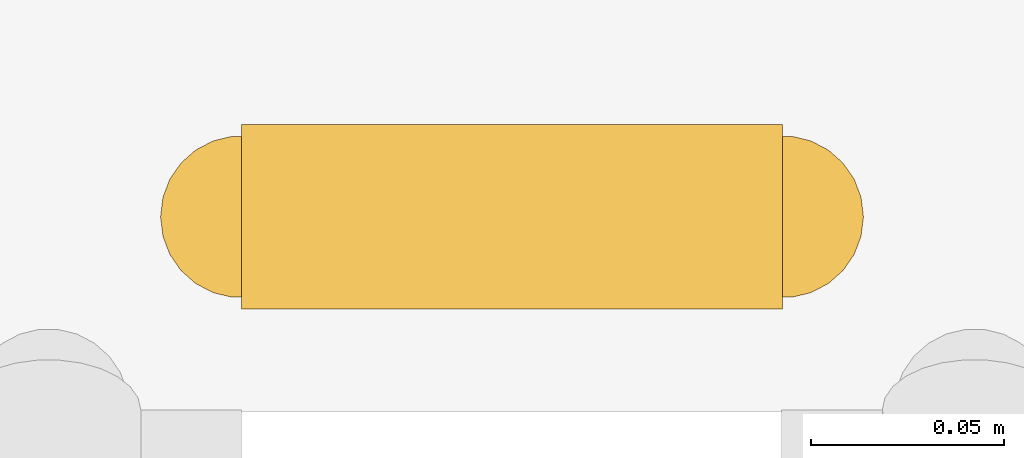
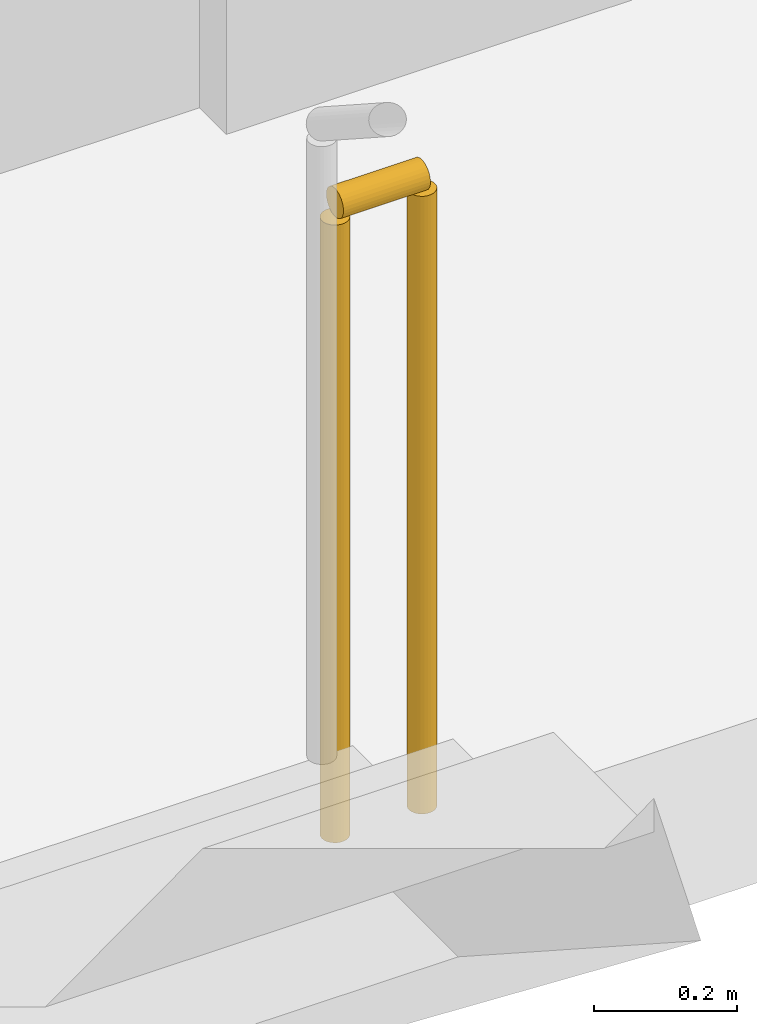
# One storey, part 12 of 13: 1 railing.
"""IFC4 building model written with IfcOpenShell, lengths in metres."""

from ifc_helpers import new_model, si_unit, direction, frame, origin, origin_2d, place, context, subcontext, project, spatial, circle, extrude, material, type_object, element, save


model = new_model("IFC4")

# Units and contexts
model_context = context("Model", 3, precision=1e-05, world=origin(), true_north=direction((0.0, 1.0)))
body_context = subcontext(model_context, "Body", "Model", "MODEL_VIEW")
ifc_project = project(units=[si_unit("LENGTHUNIT", "METRE"), si_unit("AREAUNIT", "SQUARE_METRE"), si_unit("VOLUMEUNIT", "CUBIC_METRE"), si_unit("PLANEANGLEUNIT", "RADIAN"), si_unit("MASSUNIT", "GRAM", prefix="KILO")], contexts=[model_context])

# Site, building, storey
site_placement = place(None, origin())
site = spatial("IfcSite", under=ifc_project, at=site_placement, CompositionType="ELEMENT")
building_placement = place(site_placement, origin())
building = spatial("IfcBuilding", under=site, at=building_placement, Name="Varnakote Quay Hospital", CompositionType="ELEMENT")
storey_placement = place(building_placement, frame((0.0, 0.0, 174.449951171875)))
storey = spatial("IfcBuildingStorey", under=building, at=storey_placement, Name="L43", CompositionType="ELEMENT", Elevation=174.449951171875)

# Railing
ifc_material = material(Name="Brushed stainless steel balustrade", Category="steel")
railing_type = type_object("IfcRailingType", Name="RLG-STAIR-GUARD-1150", PredefinedType="GUARDRAIL", material=ifc_material)
railing_placement = place(storey_placement, frame((21.97998046875, 9.550048828125, 0.0)))
element("IfcRailing", 1, at=railing_placement, inside=storey, type_object=railing_type, Name="L43 ST-02 stair guard 4", PredefinedType="GUARDRAIL", context=body_context, shape_type="SweptSolid", body=[
    extrude(circle(Radius=0.02392578125, at=origin_2d()), frame((0.0, 0.0, 1.076171875), z_axis=(1.0, 0.0, 0.0), x_axis=(0.0, 1.0, 0.0)), (0.0, 0.0, 1.0), 0.14013671875),
    extrude(circle(Radius=0.02099609375, at=origin_2d()), origin(), (0.0, 0.0, 1.0), 1.052001953125),
    extrude(circle(Radius=0.02099609375, at=origin_2d()), frame((0.14013671875, 0.0, 0.0)), (0.0, 0.0, 1.0), 1.052001953125),
])

save(model, "model.ifc")
